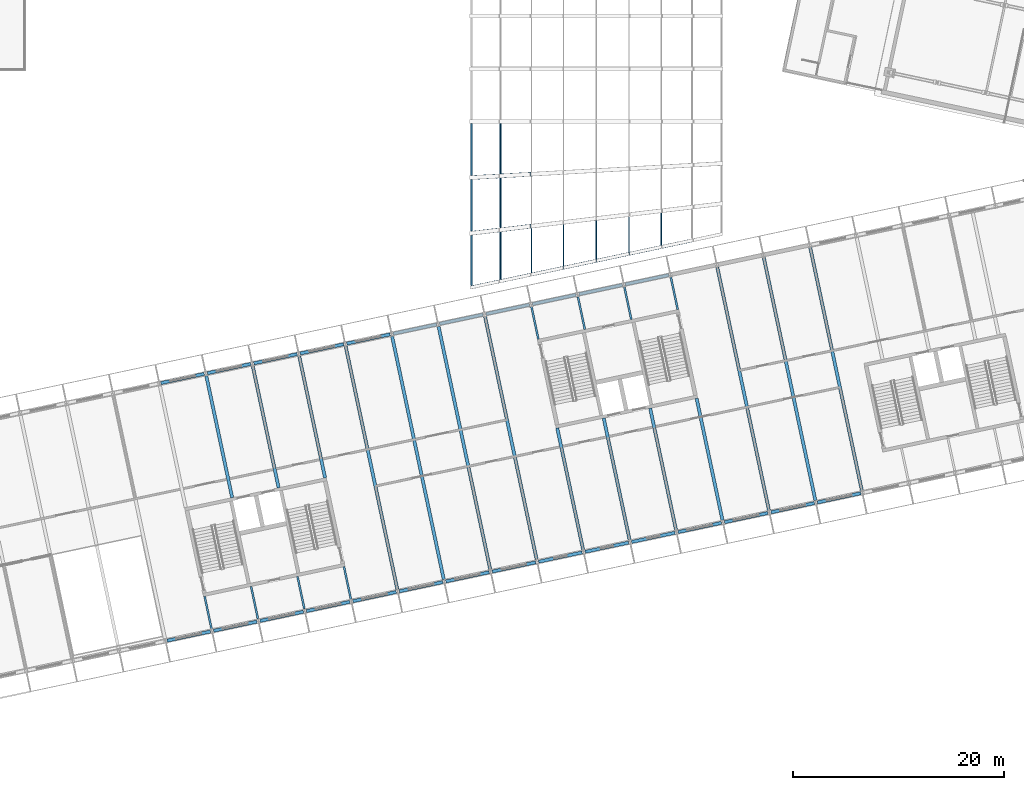
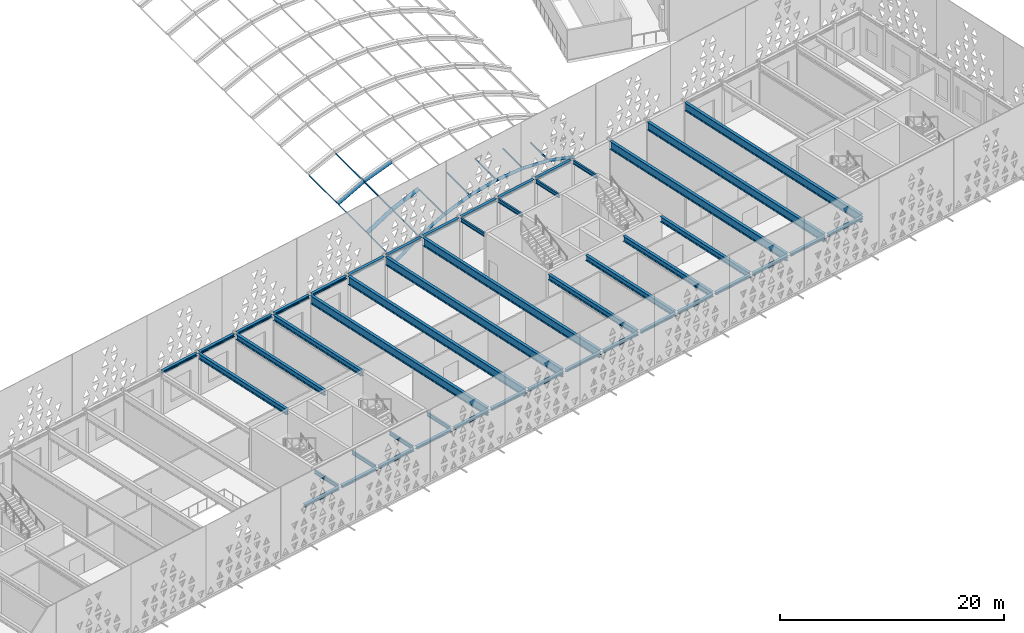
# One storey, part 41 of 196: 48 beams, 22 members.
"""IFC4 building model written with IfcOpenShell, lengths in metres."""

import ifcopenshell
import ifcopenshell.guid

model = None  # the IFC model being written
_history = None  # IfcOwnerHistory: only IFC2X3 demands one
_inside = {}  # id of a spatial element -> (the spatial element, [elements in it])
_under = {}  # id of a project, library or spatial element -> (it, [spatial elements below it])
_declared = {}  # id of a project -> (the project, [libraries it declares])
_typed = {}  # id of a type object -> (the type object, [elements of that type])
_made_of = {}  # id of a material, layer set ... -> (it, [elements and type objects made of it])


def new_model(schema):
    """Start an empty IFC model of exactly this schema.

    Asked for "IFC4X3", IfcOpenShell would pick the latest addendum, in which some entities
    have other attributes; the version numbers below select the first issue.
    IFC2X3 requires an IfcOwnerHistory on every rooted entity: one is made here for all.
    """
    global model, _history
    if schema == "IFC4X3":
        model = ifcopenshell.file(schema_version=(4, 3, 0, 0))
    else:
        model = ifcopenshell.file(schema=schema)
    _inside.clear()
    _under.clear()
    _declared.clear()
    _typed.clear()
    _made_of.clear()
    _history = None
    if model.schema == "IFC2X3":
        org = make("IfcOrganization", Name="unknown")
        user = make(
            "IfcPersonAndOrganization",
            ThePerson=make("IfcPerson", FamilyName="unknown"),
            TheOrganization=org,
        )
        app = make(
            "IfcApplication",
            ApplicationDeveloper=org,
            Version="unknown",
            ApplicationFullName="unknown",
            ApplicationIdentifier="unknown",
        )
        _history = make(
            "IfcOwnerHistory",
            OwningUser=user,
            OwningApplication=app,
            ChangeAction="ADDED",
            CreationDate=0,
        )
    return model


def make(cls, **values):
    """One entity of the class cls with the attributes given. An attribute that is None is left unset."""
    return model.create_entity(
        cls, **{name: value for name, value in values.items() if value is not None}
    )


def rooted(cls, **values):
    """An entity with a GlobalId (a new one), such as an element, a storey or a relation."""
    return make(cls, GlobalId=ifcopenshell.guid.new(), OwnerHistory=_history, **values)


def si_unit(unit_type, name, prefix=None):
    """IfcSIUnit, for example si_unit("LENGTHUNIT", "METRE", prefix="MILLI")."""
    return make("IfcSIUnit", UnitType=unit_type, Prefix=prefix, Name=name)


def assignment(units):
    """IfcUnitAssignment: the units of a project."""
    return None if units is None else make("IfcUnitAssignment", Units=units)


def point(xyz):
    """IfcCartesianPoint."""
    return None if xyz is None else make("IfcCartesianPoint", Coordinates=xyz)


def direction(xyz):
    """IfcDirection."""
    return None if xyz is None else make("IfcDirection", DirectionRatios=xyz)


def frame(location, z_axis=None, x_axis=None):
    """IfcAxis2Placement3D, a coordinate frame: its origin and axes. An axis left out is left unset."""
    return make(
        "IfcAxis2Placement3D",
        Location=point(location),
        Axis=direction(z_axis),
        RefDirection=direction(x_axis),
    )


def frame_2d(location, x_axis=None):
    """IfcAxis2Placement2D, a coordinate frame in the plane: its origin and x axis."""
    return make(
        "IfcAxis2Placement2D", Location=point(location), RefDirection=direction(x_axis)
    )


def origin():
    """The frame at (0, 0, 0) with its axes left unset."""
    return frame((0.0, 0.0, 0.0))


def origin_2d():
    """The frame at (0, 0) in the plane with its x axis left unset."""
    return frame_2d((0.0, 0.0))


def place(relative_to, where):
    """IfcLocalPlacement: puts the frame where relative to a parent placement (None: the world)."""
    return make(
        "IfcLocalPlacement", PlacementRelTo=relative_to, RelativePlacement=where
    )


def context(
    kind, dimensions, precision=None, world=None, true_north=None, identifier=None
):
    """IfcGeometricRepresentationContext, for example the 3D "Model" context."""
    return make(
        "IfcGeometricRepresentationContext",
        ContextIdentifier=identifier,
        ContextType=kind,
        CoordinateSpaceDimension=dimensions,
        Precision=precision,
        WorldCoordinateSystem=world,
        TrueNorth=true_north,
    )


def subcontext(parent, identifier, kind, view, scale=None):
    """IfcGeometricRepresentationSubContext, for example "Body" below "Model"."""
    return make(
        "IfcGeometricRepresentationSubContext",
        ContextIdentifier=identifier,
        ContextType=kind,
        ParentContext=parent,
        TargetScale=scale,
        TargetView=view,
    )


def project(units=None, contexts=None):
    """IfcProject with its units and contexts."""
    return rooted(
        "IfcProject",
        Name="project",
        RepresentationContexts=contexts,
        UnitsInContext=assignment(units),
    )


def spatial(cls, under=None, at=None, **own):
    """A site, building, storey or space (cls), placed at a placement, below another one or the project."""
    s = rooted(cls, ObjectPlacement=at, **own)
    if under is not None:
        _under.setdefault(under.id(), (under, []))[1].append(s)
    return s


def profile(cls, at=None, kind="AREA", **sizes):
    """A parametric profile (cls). Its sizes go by their IFC names, for example OverallWidth=200.0."""
    return make(cls, ProfileType=kind, Position=at, **sizes)


def hollow_rectangle(**sizes):
    """IfcRectangleHollowProfileDef."""
    return profile("IfcRectangleHollowProfileDef", **sizes)


def hollow_circle(**sizes):
    """IfcCircleHollowProfileDef."""
    return profile("IfcCircleHollowProfileDef", **sizes)


def i_section(**sizes):
    """IfcIShapeProfileDef."""
    return profile("IfcIShapeProfileDef", **sizes)


def extrude(swept, where, along, depth):
    """IfcExtrudedAreaSolid: the profile swept, set in the frame where, extruded along a direction by depth."""
    return make(
        "IfcExtrudedAreaSolid",
        SweptArea=swept,
        Position=where,
        ExtrudedDirection=direction(along),
        Depth=depth,
    )


def shape(context_of_items, identifier, shape_type, items):
    """IfcShapeRepresentation: the items that make up one representation, for example the "Body"."""
    return make(
        "IfcShapeRepresentation",
        ContextOfItems=context_of_items,
        RepresentationIdentifier=identifier,
        RepresentationType=shape_type,
        Items=items,
    )


def material(Name=None, Category=None):
    """IfcMaterial."""
    return make("IfcMaterial", Name=Name, Category=Category)


def material_profile(
    of_material, cross_section, Name=None, Category=None, Priority=None
):
    """IfcMaterialProfile: a cross section and its material."""
    return make(
        "IfcMaterialProfile",
        Name=Name,
        Material=of_material,
        Profile=cross_section,
        Priority=Priority,
        Category=Category,
    )


def profile_set(profiles, Name=None, composite=None):
    """IfcMaterialProfileSet."""
    return make(
        "IfcMaterialProfileSet",
        Name=Name,
        MaterialProfiles=profiles,
        CompositeProfile=composite,
    )


def made_of(thing, what):
    """Note that an element or type object is made of a material, layer set ...; save() writes the relation."""
    if what is not None:
        _made_of.setdefault(what.id(), (what, []))[1].append(thing)
    return thing


def type_object(cls, material=None, **own):
    """A type object (cls), such as IfcWallType, which elements share."""
    return made_of(rooted(cls, **own), material)


def element(
    cls,
    number,
    at=None,
    inside=None,
    cuts=None,
    type_object=None,
    material=None,
    context=None,
    identifier="Body",
    shape_type=None,
    held_by="IfcProductDefinitionShape",
    body=None,
    shapes=None,
    **own,
):
    """One element of the class cls, such as IfcWall. Its Tag is "e" and its number.

    at: its placement. inside: the storey or other place that contains it. cuts: it is an
    opening in that element (IfcRelVoidsElement). A single representation is given by context,
    identifier, shape_type and body (its items); several are given by shapes. held_by: the class
    of the entity that holds the representations. save() writes the other relations.
    """
    e = rooted(cls, Tag="e%d" % number, ObjectPlacement=at, **own)
    if body is not None:
        shapes = [shape(context, identifier, shape_type, body)]
    if shapes is not None:
        e.Representation = make(held_by, Representations=shapes)
    if inside is not None:
        _inside.setdefault(inside.id(), (inside, []))[1].append(e)
    if cuts is not None:
        rooted(
            "IfcRelVoidsElement", RelatingBuildingElement=cuts, RelatedOpeningElement=e
        )
    if type_object is not None:
        _typed.setdefault(type_object.id(), (type_object, []))[1].append(e)
    return made_of(e, material)


def aggregate(whole, parts):
    """IfcRelAggregates: a whole, such as a stair, and the parts it consists of."""
    return rooted("IfcRelAggregates", RelatingObject=whole, RelatedObjects=parts)


def save(model, path):
    """Write the relations noted so far, then the file.

    IfcRelAggregates (storeys below a building ...), IfcRelContainedInSpatialStructure (elements
    in a storey), IfcRelDefinesByType, IfcRelAssociatesMaterial and IfcRelDeclares: one each for
    every whole, place, type object, material and project.
    """
    for whole, parts in _under.values():
        aggregate(whole, parts)
    for where, things in _inside.values():
        rooted(
            "IfcRelContainedInSpatialStructure",
            RelatedElements=things,
            RelatingStructure=where,
        )
    for kind, things in _typed.values():
        rooted("IfcRelDefinesByType", RelatedObjects=things, RelatingType=kind)
    for what, things in _made_of.values():
        rooted("IfcRelAssociatesMaterial", RelatedObjects=things, RelatingMaterial=what)
    for by, libraries in _declared.values():
        rooted("IfcRelDeclares", RelatingContext=by, RelatedDefinitions=libraries)
    model.write(path)


model = new_model("IFC4")

# Units and contexts
model_context = context("Model", 3, precision=1e-05, world=origin(), true_north=direction((0.0, 1.0)))
body_context = subcontext(model_context, "Body", "Model", "MODEL_VIEW")
ifc_project = project(units=[si_unit("LENGTHUNIT", "METRE"), si_unit("AREAUNIT", "SQUARE_METRE"), si_unit("VOLUMEUNIT", "CUBIC_METRE"), si_unit("PLANEANGLEUNIT", "RADIAN"), si_unit("MASSUNIT", "GRAM", prefix="KILO")], contexts=[model_context])

# Site, building, storey
site_placement = place(None, origin())
site = spatial("IfcSite", under=ifc_project, at=site_placement, CompositionType="ELEMENT")
building_placement = place(site_placement, origin())
building = spatial("IfcBuilding", under=site, at=building_placement, Name="Okhra Congress Centre", CompositionType="ELEMENT")
storey_placement = place(building_placement, frame((0.0, 0.0, 12.0)))
storey = spatial("IfcBuildingStorey", under=building, at=storey_placement, Name="L02", CompositionType="ELEMENT", Elevation=12.0)

# Beams
ifc_material = material(Name="Steel S355J2", Category="steel")
ifc_material_profile_1 = material_profile(ifc_material, i_section(OverallWidth=0.300048828125, OverallDepth=0.2900390625, WebThickness=0.008544921875, FlangeThickness=0.013916015625, FilletRadius=0.027099609375, at=origin_2d()), Name="HE 300 A")
ifc_profile_set_1 = profile_set([ifc_material_profile_1], Name="Steel S355J2")
beam_type_1 = type_object("IfcBeamType", Name="Edge beam HE 300 A", PredefinedType="BEAM", material=ifc_profile_set_1)
beam_1_placement = place(storey_placement, frame((131.584228515625, 41.81005859375, 4.5048828125), z_axis=(0.978146440129, 0.207917150959, 0.0), x_axis=(-0.207917150959, 0.978146440129, 0.0)))
element("IfcBeam", 1, at=beam_1_placement, inside=storey, type_object=beam_type_1, Name="Edge beam S17", PredefinedType="BEAM", context=body_context, shape_type="SweptSolid", body=[
    extrude(i_section(OverallWidth=0.300048828125, OverallDepth=0.2900390625, WebThickness=0.008544921875, FlangeThickness=0.013916015625, FilletRadius=0.027099609375, at=origin_2d()), origin(), (0.0, 0.0, 1.0), 4.2001953125),
])
for number, where, z_axis, x_axis, name in (
    (2, (135.986083984375, 42.74560546875, 4.5048828125), (0.978143927149, 0.207928972925, 0.0), (-0.207928972925, 0.978143927149, 0.0), "Edge beam S18"),
    (3, (140.3876953125, 43.68115234375, 4.5048828125), (0.978143927149, 0.207928972925, 0.0), (-0.207928972925, 0.978143927149, 0.0), "Edge beam S19"),
    (4, (144.789306640625, 44.616943359375, 4.5048828125), (0.978155748334, 0.207873355681, 0.0), (-0.207873355681, 0.978155748334, 0.0), "Edge beam S20"),
):
    element("IfcBeam", number, at=place(storey_placement, frame(where, z_axis=z_axis, x_axis=x_axis)), inside=storey, type_object=beam_type_1, Name=name, PredefinedType="BEAM", context=body_context, shape_type="SweptSolid", body=[
        extrude(i_section(OverallWidth=0.300048828125, OverallDepth=0.2900390625, WebThickness=0.008544921875, FlangeThickness=0.013916015625, FilletRadius=0.027099609375, at=origin_2d()), origin(), (0.0, 0.0, 1.0), 4.199951171875),
    ])
beam_2_placement = place(storey_placement, frame((149.19091796875, 45.552490234375, 4.5048828125), z_axis=(0.978146440129, 0.207917150959, 0.0), x_axis=(-0.207917150959, 0.978146440129, 0.0)))
element("IfcBeam", 5, at=beam_2_placement, inside=storey, type_object=beam_type_1, Name="Edge beam S21", PredefinedType="BEAM", context=body_context, shape_type="SweptSolid", body=[
    extrude(i_section(OverallWidth=0.300048828125, OverallDepth=0.2900390625, WebThickness=0.008544921875, FlangeThickness=0.013916015625, FilletRadius=0.027099609375, at=origin_2d()), origin(), (0.0, 0.0, 1.0), 4.2001953125),
])
for number, where, z_axis, x_axis, name in (
    (6, (153.5927734375, 46.488037109375, 4.5048828125), (0.978143927149, 0.207928972925, 0.0), (-0.207928972925, 0.978143927149, 0.0), "Edge beam S22"),
    (7, (157.994384765625, 47.423583984375, 4.5048828125), (0.978143927149, 0.207928972925, 0.0), (-0.207928972925, 0.978143927149, 0.0), "Edge beam S23"),
    (8, (162.39599609375, 48.359375, 4.5048828125), (0.978155748334, 0.207873355681, 0.0), (-0.207873355681, 0.978155748334, 0.0), "Edge beam S24"),
    (9, (166.797607421875, 49.294921875, 4.5048828125), (0.978143927149, 0.207928972925, 0.0), (-0.207928972925, 0.978143927149, 0.0), "Edge beam S25"),
):
    element("IfcBeam", number, at=place(storey_placement, frame(where, z_axis=z_axis, x_axis=x_axis)), inside=storey, type_object=beam_type_1, Name=name, PredefinedType="BEAM", context=body_context, shape_type="SweptSolid", body=[
        extrude(i_section(OverallWidth=0.300048828125, OverallDepth=0.2900390625, WebThickness=0.008544921875, FlangeThickness=0.013916015625, FilletRadius=0.027099609375, at=origin_2d()), origin(), (0.0, 0.0, 1.0), 4.199951171875),
    ])
beam_3_placement = place(storey_placement, frame((171.19921875, 50.23046875, 4.5048828125), z_axis=(0.978146440129, 0.207917150959, 0.0), x_axis=(-0.207917150959, 0.978146440129, 0.0)))
element("IfcBeam", 10, at=beam_3_placement, inside=storey, type_object=beam_type_1, Name="Edge beam S26", PredefinedType="BEAM", context=body_context, shape_type="SweptSolid", body=[
    extrude(i_section(OverallWidth=0.300048828125, OverallDepth=0.2900390625, WebThickness=0.008544921875, FlangeThickness=0.013916015625, FilletRadius=0.027099609375, at=origin_2d()), origin(), (0.0, 0.0, 1.0), 4.2001953125),
])
for number, where, z_axis, x_axis, name in (
    (11, (175.60107421875, 51.166015625, 4.5048828125), (0.978143927149, 0.207928972925, 0.0), (-0.207928972925, 0.978143927149, 0.0), "Edge beam S27"),
    (12, (180.002685546875, 52.101806640625, 4.5048828125), (0.978155748334, 0.207873355681, 0.0), (-0.207873355681, 0.978155748334, 0.0), "Edge beam S28"),
    (13, (184.404296875, 53.037353515625, 4.5048828125), (0.978143927149, 0.207928972925, 0.0), (-0.207928972925, 0.978143927149, 0.0), "Edge beam S29"),
):
    element("IfcBeam", number, at=place(storey_placement, frame(where, z_axis=z_axis, x_axis=x_axis)), inside=storey, type_object=beam_type_1, Name=name, PredefinedType="BEAM", context=body_context, shape_type="SweptSolid", body=[
        extrude(i_section(OverallWidth=0.300048828125, OverallDepth=0.2900390625, WebThickness=0.008544921875, FlangeThickness=0.013916015625, FilletRadius=0.027099609375, at=origin_2d()), origin(), (0.0, 0.0, 1.0), 4.199951171875),
    ])
for number, where, z_axis, x_axis, name in (
    (14, (188.805908203125, 53.972900390625, 4.5048828125), (0.978146440129, 0.207917150959, 0.0), (-0.207917150959, 0.978146440129, 0.0), "Edge beam S30"),
    (15, (193.20751953125, 54.908447265625, 4.5048828125), (0.978146440129, 0.207917150959, 0.0), (-0.207917150959, 0.978146440129, 0.0), "Edge beam S31"),
):
    element("IfcBeam", number, at=place(storey_placement, frame(where, z_axis=z_axis, x_axis=x_axis)), inside=storey, type_object=beam_type_1, Name=name, PredefinedType="BEAM", context=body_context, shape_type="SweptSolid", body=[
        extrude(i_section(OverallWidth=0.300048828125, OverallDepth=0.2900390625, WebThickness=0.008544921875, FlangeThickness=0.013916015625, FilletRadius=0.027099609375, at=origin_2d()), origin(), (0.0, 0.0, 1.0), 4.2001953125),
    ])
beam_4_placement = place(storey_placement, frame((130.99609375, 66.22119140625, 4.5048828125), z_axis=(0.978143927149, 0.207928972925, 0.0), x_axis=(-0.207928972925, 0.978143927149, 0.0)))
element("IfcBeam", 16, at=beam_4_placement, inside=storey, type_object=beam_type_1, Name="Edge beam N18", PredefinedType="BEAM", context=body_context, shape_type="SweptSolid", body=[
    extrude(i_section(OverallWidth=0.300048828125, OverallDepth=0.2900390625, WebThickness=0.008544921875, FlangeThickness=0.013916015625, FilletRadius=0.027099609375, at=origin_2d()), origin(), (0.0, 0.0, 1.0), 4.199951171875),
])
beam_5_placement = place(storey_placement, frame((135.397705078125, 67.15673828125, 4.5048828125), z_axis=(0.978146440129, 0.207917150959, 0.0), x_axis=(-0.207917150959, 0.978146440129, 0.0)))
element("IfcBeam", 17, at=beam_5_placement, inside=storey, type_object=beam_type_1, Name="Edge beam N19", PredefinedType="BEAM", context=body_context, shape_type="SweptSolid", body=[
    extrude(i_section(OverallWidth=0.300048828125, OverallDepth=0.2900390625, WebThickness=0.008544921875, FlangeThickness=0.013916015625, FilletRadius=0.027099609375, at=origin_2d()), origin(), (0.0, 0.0, 1.0), 4.2001953125),
])
for number, where, z_axis, x_axis, name in (
    (18, (139.799560546875, 68.092529296875, 4.5048828125), (0.978155748334, 0.207873355681, 0.0), (-0.207873355681, 0.978155748334, 0.0), "Edge beam N20"),
    (19, (144.201171875, 69.028076171875, 4.5048828125), (0.978143927149, 0.207928972925, 0.0), (-0.207928972925, 0.978143927149, 0.0), "Edge beam N21"),
    (20, (148.602783203125, 69.963623046875, 4.5048828125), (0.978143927149, 0.207928972925, 0.0), (-0.207928972925, 0.978143927149, 0.0), "Edge beam N22"),
    (21, (153.00439453125, 70.899169921875, 4.5048828125), (0.978143927149, 0.207928972925, 0.0), (-0.207928972925, 0.978143927149, 0.0), "Edge beam N23"),
):
    element("IfcBeam", number, at=place(storey_placement, frame(where, z_axis=z_axis, x_axis=x_axis)), inside=storey, type_object=beam_type_1, Name=name, PredefinedType="BEAM", context=body_context, shape_type="SweptSolid", body=[
        extrude(i_section(OverallWidth=0.300048828125, OverallDepth=0.2900390625, WebThickness=0.008544921875, FlangeThickness=0.013916015625, FilletRadius=0.027099609375, at=origin_2d()), origin(), (0.0, 0.0, 1.0), 4.199951171875),
    ])
beam_6_placement = place(storey_placement, frame((157.406005859375, 71.834716796875, 4.5048828125), z_axis=(0.978146440129, 0.207917150959, 0.0), x_axis=(-0.207917150959, 0.978146440129, 0.0)))
element("IfcBeam", 22, at=beam_6_placement, inside=storey, type_object=beam_type_1, Name="Edge beam N24", PredefinedType="BEAM", context=body_context, shape_type="SweptSolid", body=[
    extrude(i_section(OverallWidth=0.300048828125, OverallDepth=0.2900390625, WebThickness=0.008544921875, FlangeThickness=0.013916015625, FilletRadius=0.027099609375, at=origin_2d()), origin(), (0.0, 0.0, 1.0), 4.2001953125),
])
for number, where, z_axis, x_axis, name in (
    (23, (161.807861328125, 72.7705078125, 4.5048828125), (0.978155748334, 0.207873355681, 0.0), (-0.207873355681, 0.978155748334, 0.0), "Edge beam N25"),
    (24, (166.20947265625, 73.7060546875, 4.5048828125), (0.978143927149, 0.207928972925, 0.0), (-0.207928972925, 0.978143927149, 0.0), "Edge beam N26"),
    (25, (170.611083984375, 74.6416015625, 4.5048828125), (0.978143927149, 0.207928972925, 0.0), (-0.207928972925, 0.978143927149, 0.0), "Edge beam N27"),
):
    element("IfcBeam", number, at=place(storey_placement, frame(where, z_axis=z_axis, x_axis=x_axis)), inside=storey, type_object=beam_type_1, Name=name, PredefinedType="BEAM", context=body_context, shape_type="SweptSolid", body=[
        extrude(i_section(OverallWidth=0.300048828125, OverallDepth=0.2900390625, WebThickness=0.008544921875, FlangeThickness=0.013916015625, FilletRadius=0.027099609375, at=origin_2d()), origin(), (0.0, 0.0, 1.0), 4.199951171875),
    ])
beam_7_placement = place(storey_placement, frame((175.0126953125, 75.5771484375, 4.5048828125), z_axis=(0.978146440129, 0.207917150959, 0.0), x_axis=(-0.207917150959, 0.978146440129, 0.0)))
element("IfcBeam", 26, at=beam_7_placement, inside=storey, type_object=beam_type_1, Name="Edge beam N28", PredefinedType="BEAM", context=body_context, shape_type="SweptSolid", body=[
    extrude(i_section(OverallWidth=0.300048828125, OverallDepth=0.2900390625, WebThickness=0.008544921875, FlangeThickness=0.013916015625, FilletRadius=0.027099609375, at=origin_2d()), origin(), (0.0, 0.0, 1.0), 4.2001953125),
])
ifc_material_profile_2 = material_profile(ifc_material, i_section(OverallWidth=0.300048828125, OverallDepth=0.590087890625, WebThickness=0.012939453125, FlangeThickness=0.02490234375, FilletRadius=0.027099609375, at=origin_2d()), Name="HE 600 A")
ifc_profile_set_2 = profile_set([ifc_material_profile_2], Name="Steel S355J2")
beam_type_2 = type_object("IfcBeamType", Name="Floor beam HE 600 A", PredefinedType="BEAM", material=ifc_profile_set_2)
beam_8_placement = place(storey_placement, frame((137.751220703125, 55.36328125, 4.35498046875), z_axis=(-0.207905998145, 0.978148810731, 0.0), x_axis=(-0.978148810731, -0.207905998145, 0.0)))
element("IfcBeam", 27, at=beam_8_placement, inside=storey, type_object=beam_type_2, Name="Floor beam 18.2", PredefinedType="BEAM", context=body_context, shape_type="SweptSolid", body=[
    extrude(i_section(OverallWidth=0.300048828125, OverallDepth=0.590087890625, WebThickness=0.012939453125, FlangeThickness=0.02490234375, FilletRadius=0.027099609375, at=origin_2d()), origin(), (0.0, 0.0, 1.0), 11.80517578125),
])
beam_9_placement = place(storey_placement, frame((142.15283203125, 56.299072265625, 4.35498046875), z_axis=(-0.207910203977, 0.97814791677, 0.0), x_axis=(-0.97814791677, -0.207910203977, 0.0)))
element("IfcBeam", 28, at=beam_9_placement, inside=storey, type_object=beam_type_2, Name="Floor beam 19.2", PredefinedType="BEAM", context=body_context, shape_type="SweptSolid", body=[
    extrude(i_section(OverallWidth=0.300048828125, OverallDepth=0.590087890625, WebThickness=0.012939453125, FlangeThickness=0.02490234375, FilletRadius=0.027099609375, at=origin_2d()), origin(), (0.0, 0.0, 1.0), 11.804931640625),
])
beam_10_placement = place(storey_placement, frame((146.554443359375, 57.234619140625, 4.35498046875), z_axis=(-0.207905998145, 0.978148810731, 0.0), x_axis=(-0.978148810731, -0.207905998145, 0.0)))
element("IfcBeam", 29, at=beam_10_placement, inside=storey, type_object=beam_type_2, Name="Floor beam 20.2", PredefinedType="BEAM", context=body_context, shape_type="SweptSolid", body=[
    extrude(i_section(OverallWidth=0.300048828125, OverallDepth=0.590087890625, WebThickness=0.012939453125, FlangeThickness=0.02490234375, FilletRadius=0.027099609375, at=origin_2d()), origin(), (0.0, 0.0, 1.0), 11.80517578125),
])
beam_11_placement = place(storey_placement, frame((171.0068359375, 50.41455078125, 4.35498046875), z_axis=(-0.207910203977, 0.97814791677, 0.0), x_axis=(-0.97814791677, -0.207910203977, 0.0)))
element("IfcBeam", 30, at=beam_11_placement, inside=storey, type_object=beam_type_2, Name="Floor beam 25.1", PredefinedType="BEAM", context=body_context, shape_type="SweptSolid", body=[
    extrude(i_section(OverallWidth=0.300048828125, OverallDepth=0.590087890625, WebThickness=0.012939453125, FlangeThickness=0.02490234375, FilletRadius=0.027099609375, at=origin_2d()), origin(), (0.0, 0.0, 1.0), 11.804931640625),
])
for number, where, z_axis, x_axis, name in (
    (31, (175.408447265625, 51.35009765625, 4.35498046875), (-0.207905998145, 0.978148810731, 0.0), (-0.978148810731, -0.207905998145, 0.0), "Floor beam 26.1"),
    (32, (179.810302734375, 52.28564453125, 4.35498046875), (-0.207925785074, 0.978144604801, 0.0), (-0.978144604801, -0.207925785074, 0.0), "Floor beam 27.1"),
    (33, (184.2119140625, 53.22119140625, 4.35498046875), (-0.207905998145, 0.978148810731, 0.0), (-0.978148810731, -0.207905998145, 0.0), "Floor beam 28.1"),
):
    element("IfcBeam", number, at=place(storey_placement, frame(where, z_axis=z_axis, x_axis=x_axis)), inside=storey, type_object=beam_type_2, Name=name, PredefinedType="BEAM", context=body_context, shape_type="SweptSolid", body=[
        extrude(i_section(OverallWidth=0.300048828125, OverallDepth=0.590087890625, WebThickness=0.012939453125, FlangeThickness=0.02490234375, FilletRadius=0.027099609375, at=origin_2d()), origin(), (0.0, 0.0, 1.0), 11.80517578125),
    ])
ifc_material_profile_3 = material_profile(ifc_material, i_section(OverallWidth=0.300048828125, OverallDepth=0.889892578125, WebThickness=0.01611328125, FlangeThickness=0.030029296875, FilletRadius=0.030029296875, at=origin_2d()), Name="HE 900 A")
ifc_profile_set_3 = profile_set([ifc_material_profile_3], Name="Steel S355J2")
beam_type_3 = type_object("IfcBeamType", Name="Floor beam HE 900 A", PredefinedType="BEAM", material=ifc_profile_set_3)
for number, where, z_axis, x_axis, name in (
    (34, (153.400146484375, 46.672119140625, 4.205078125), (-0.207913162874, 0.978147287837, 0.0), (-0.978147287837, -0.207913162874, 0.0), "Floor beam 21.1"),
    (35, (157.8017578125, 47.607666015625, 4.205078125), (-0.207903248293, 0.97814939521, 0.0), (-0.97814939521, -0.207903248293, 0.0), "Floor beam 22.1"),
    (36, (162.20361328125, 48.543212890625, 4.205078125), (-0.207913162874, 0.978147287837, 0.0), (-0.978147287837, -0.207913162874, 0.0), "Floor beam 23.1"),
    (37, (166.605224609375, 49.47900390625, 4.205078125), (-0.207913162874, 0.978147287837, 0.0), (-0.978147287837, -0.207913162874, 0.0), "Floor beam 24.1"),
    (38, (188.613525390625, 54.156982421875, 4.205078125), (-0.207913162874, 0.978147287837, 0.0), (-0.978147287837, -0.207913162874, 0.0), "Floor beam 29.1"),
    (39, (193.01513671875, 55.092529296875, 4.205078125), (-0.207913162874, 0.978147287837, 0.0), (-0.978147287837, -0.207913162874, 0.0), "Floor beam 30.1"),
    (40, (197.416748046875, 56.028076171875, 4.205078125), (-0.207903248293, 0.97814939521, 0.0), (-0.97814939521, -0.207903248293, 0.0), "Floor beam 31.1"),
):
    element("IfcBeam", number, at=place(storey_placement, frame(where, z_axis=z_axis, x_axis=x_axis)), inside=storey, type_object=beam_type_3, Name=name, PredefinedType="BEAM", context=body_context, shape_type="SweptSolid", body=[
        extrude(i_section(OverallWidth=0.300048828125, OverallDepth=0.889892578125, WebThickness=0.01611328125, FlangeThickness=0.030029296875, FilletRadius=0.030029296875, at=origin_2d()), origin(), (0.0, 0.0, 1.0), 23.56005859375),
    ])
ifc_material_profile_4 = material_profile(ifc_material, i_section(OverallWidth=0.179931640625, OverallDepth=0.39990234375, WebThickness=0.008544921875, FlangeThickness=0.013427734375, FilletRadius=0.02099609375, at=origin_2d()), Name="IPE 400")
ifc_profile_set_4 = profile_set([ifc_material_profile_4], Name="Steel S355J2")
beam_type_4 = type_object("IfcBeamType", Name="Floor beam stub IPE 400", PredefinedType="BEAM", material=ifc_profile_set_4)
beam_12_placement = place(storey_placement, frame((135.79345703125, 42.9296875, 4.449951171875), z_axis=(-0.20785875582, 0.978158850918, 0.0), x_axis=(-0.978158850918, -0.20785875582, 0.0)))
element("IfcBeam", 41, at=beam_12_placement, inside=storey, type_object=beam_type_4, Name="Floor beam 17.1", PredefinedType="BEAM", context=body_context, shape_type="SweptSolid", body=[
    extrude(i_section(OverallWidth=0.179931640625, OverallDepth=0.39990234375, WebThickness=0.008544921875, FlangeThickness=0.013427734375, FilletRadius=0.02099609375, at=origin_2d()), origin(), (0.0, 0.0, 1.0), 3.15478515625),
])
for number, where, z_axis, x_axis, name in (
    (42, (140.1953125, 43.865234375, 4.449951171875), (-0.207917058571, 0.978146459767, 0.0), (-0.978146459767, -0.207917058571, 0.0), "Floor beam 18.1"),
    (43, (144.596923828125, 44.80078125, 4.449951171875), (-0.207917058571, 0.978146459767, 0.0), (-0.978146459767, -0.207917058571, 0.0), "Floor beam 19.1"),
):
    element("IfcBeam", number, at=place(storey_placement, frame(where, z_axis=z_axis, x_axis=x_axis)), inside=storey, type_object=beam_type_4, Name=name, PredefinedType="BEAM", context=body_context, shape_type="SweptSolid", body=[
        extrude(i_section(OverallWidth=0.179931640625, OverallDepth=0.39990234375, WebThickness=0.008544921875, FlangeThickness=0.013427734375, FilletRadius=0.02099609375, at=origin_2d()), origin(), (0.0, 0.0, 1.0), 3.155029296875),
    ])
beam_13_placement = place(storey_placement, frame((148.99853515625, 45.736572265625, 4.449951171875), z_axis=(-0.207932796537, 0.978143114337, 0.0), x_axis=(-0.978143114337, -0.207932796537, 0.0)))
element("IfcBeam", 44, at=beam_13_placement, inside=storey, type_object=beam_type_4, Name="Floor beam 20.1", PredefinedType="BEAM", context=body_context, shape_type="SweptSolid", body=[
    extrude(i_section(OverallWidth=0.179931640625, OverallDepth=0.39990234375, WebThickness=0.008544921875, FlangeThickness=0.013427734375, FilletRadius=0.02099609375, at=origin_2d()), origin(), (0.0, 0.0, 1.0), 3.15478515625),
])
for number, where, z_axis, x_axis, name in (
    (45, (166.764404296875, 70.37353515625, 4.449951171875), (-0.207917058571, 0.978146459767, 0.0), (-0.978146459767, -0.207917058571, 0.0), "Floor beam 25.2"),
    (46, (171.166015625, 71.30908203125, 4.449951171875), (-0.207917058571, 0.978146459767, 0.0), (-0.978146459767, -0.207917058571, 0.0), "Floor beam 26.2"),
):
    element("IfcBeam", number, at=place(storey_placement, frame(where, z_axis=z_axis, x_axis=x_axis)), inside=storey, type_object=beam_type_4, Name=name, PredefinedType="BEAM", context=body_context, shape_type="SweptSolid", body=[
        extrude(i_section(OverallWidth=0.179931640625, OverallDepth=0.39990234375, WebThickness=0.008544921875, FlangeThickness=0.013427734375, FilletRadius=0.02099609375, at=origin_2d()), origin(), (0.0, 0.0, 1.0), 3.155029296875),
    ])
for number, where, z_axis, x_axis, name in (
    (47, (175.567626953125, 72.244873046875, 4.449951171875), (-0.20785875582, 0.978158850918, 0.0), (-0.978158850918, -0.20785875582, 0.0), "Floor beam 27.2"),
    (48, (179.969482421875, 73.180419921875, 4.449951171875), (-0.207932796537, 0.978143114337, 0.0), (-0.978143114337, -0.207932796537, 0.0), "Floor beam 28.2"),
):
    element("IfcBeam", number, at=place(storey_placement, frame(where, z_axis=z_axis, x_axis=x_axis)), inside=storey, type_object=beam_type_4, Name=name, PredefinedType="BEAM", context=body_context, shape_type="SweptSolid", body=[
        extrude(i_section(OverallWidth=0.179931640625, OverallDepth=0.39990234375, WebThickness=0.008544921875, FlangeThickness=0.013427734375, FilletRadius=0.02099609375, at=origin_2d()), origin(), (0.0, 0.0, 1.0), 3.15478515625),
    ])

# Members
ifc_material_profile_5 = material_profile(ifc_material, hollow_rectangle(XDim=0.10009765625, YDim=0.14990234375, WallThickness=0.00634765625, at=origin_2d()), Name="RHS 150x100x6.3")
ifc_profile_set_5 = profile_set([ifc_material_profile_5], Name="Steel S355J2")
member_type_1 = type_object("IfcMemberType", Name="Steel purlin RHS 150x100x6.3", PredefinedType="PURLIN", material=ifc_profile_set_5)
member_1_placement = place(storey_placement, frame((166.109619140625, 76.668212890625, 3.18505859375), z_axis=(0.0, 1.0, 0.0), x_axis=(-0.965379940391, 0.0, -0.260847792191)))
element("IfcMember", 49, at=member_1_placement, inside=storey, type_object=member_type_1, Name="Vault purlin 1.4", PredefinedType="PURLIN", context=body_context, shape_type="SweptSolid", body=[
    extrude(hollow_rectangle(XDim=0.10009765625, YDim=0.14990234375, WallThickness=0.00634765625, at=origin_2d()), origin(), (0.0, 0.0, 1.0), 4.21533203125),
])
member_2_placement = place(storey_placement, frame((169.15283203125, 77.315185546875, 3.79541015625), z_axis=(0.0, 1.0, 0.0), x_axis=(-0.991307202734, 0.0, -0.131567586459)))
element("IfcMember", 50, at=member_2_placement, inside=storey, type_object=member_type_1, Name="Vault purlin 1.5", PredefinedType="PURLIN", context=body_context, shape_type="SweptSolid", body=[
    extrude(hollow_rectangle(XDim=0.10009765625, YDim=0.14990234375, WallThickness=0.00634765625, at=origin_2d()), origin(), (0.0, 0.0, 1.0), 3.928955078125),
])
member_3_placement = place(storey_placement, frame((172.25, 77.9736328125, 4.0), z_axis=(0.0, 1.0, 0.0), x_axis=(-1.0, 0.0, 0.0)))
element("IfcMember", 51, at=member_3_placement, inside=storey, type_object=member_type_1, Name="Vault purlin 1.6", PredefinedType="PURLIN", context=body_context, shape_type="SweptSolid", body=[
    extrude(hollow_rectangle(XDim=0.10009765625, YDim=0.14990234375, WallThickness=0.00634765625, at=origin_2d()), origin(), (0.0, 0.0, 1.0), 3.637451171875),
])
member_4_placement = place(storey_placement, frame((175.34716796875, 78.632080078125, 3.79541015625), z_axis=(0.0, 1.0, 0.0), x_axis=(-0.991307202734, 0.0, 0.131567586459)))
element("IfcMember", 52, at=member_4_placement, inside=storey, type_object=member_type_1, Name="Vault purlin 1.7", PredefinedType="PURLIN", context=body_context, shape_type="SweptSolid", body=[
    extrude(hollow_rectangle(XDim=0.10009765625, YDim=0.14990234375, WallThickness=0.00634765625, at=origin_2d()), origin(), (0.0, 0.0, 1.0), 3.345947265625),
])
member_5_placement = place(storey_placement, frame((178.390380859375, 79.279052734375, 3.18505859375), z_axis=(0.0, 1.0, 0.0), x_axis=(-0.965379940391, 0.0, 0.260847792191)))
element("IfcMember", 53, at=member_5_placement, inside=storey, type_object=member_type_1, Name="Vault purlin 1.8", PredefinedType="PURLIN", context=body_context, shape_type="SweptSolid", body=[
    extrude(hollow_rectangle(XDim=0.10009765625, YDim=0.14990234375, WallThickness=0.00634765625, at=origin_2d()), origin(), (0.0, 0.0, 1.0), 3.059326171875),
])
ifc_material_profile_6 = material_profile(ifc_material, hollow_rectangle(XDim=0.10009765625, YDim=0.199951171875, WallThickness=0.008056640625, at=origin_2d()), Name="RHS 200x100x8")
ifc_profile_set_6 = profile_set([ifc_material_profile_6], Name="Steel S355J2")
member_type_2 = type_object("IfcMemberType", Name="Steel purlin RHS 200x100x8", PredefinedType="PURLIN", material=ifc_profile_set_6)
member_6_placement = place(storey_placement, frame((160.406982421875, 75.455810546875, 0.77490234375), z_axis=(0.0, 1.0, 0.0), x_axis=(-0.86391685861, 0.0, -0.503634452167)))
element("IfcMember", 54, at=member_6_placement, inside=storey, type_object=member_type_2, Name="Vault purlin 1.2", PredefinedType="PURLIN", context=body_context, shape_type="SweptSolid", body=[
    extrude(hollow_rectangle(XDim=0.10009765625, YDim=0.199951171875, WallThickness=0.008056640625, at=origin_2d()), origin(), (0.0, 0.0, 1.0), 4.752197265625),
])
member_7_placement = place(storey_placement, frame((163.1826171875, 76.0458984375, 2.156494140625), z_axis=(0.0, 1.0, 0.0), x_axis=(-0.922668973833, 0.0, -0.38559300399)))
element("IfcMember", 55, at=member_7_placement, inside=storey, type_object=member_type_2, Name="Vault purlin 1.3", PredefinedType="PURLIN", context=body_context, shape_type="SweptSolid", body=[
    extrude(hollow_rectangle(XDim=0.10009765625, YDim=0.199951171875, WallThickness=0.008056640625, at=origin_2d()), origin(), (0.0, 0.0, 1.0), 4.490966796875),
])
member_8_placement = place(storey_placement, frame((160.406982421875, 80.617431640625, 0.77490234375), z_axis=(0.0, 1.0, 0.0), x_axis=(-0.86391685861, 0.0, -0.503634452167)))
element("IfcMember", 56, at=member_8_placement, inside=storey, type_object=member_type_2, Name="Vault purlin 2.2", PredefinedType="PURLIN", context=body_context, shape_type="SweptSolid", body=[
    extrude(hollow_rectangle(XDim=0.10009765625, YDim=0.199951171875, WallThickness=0.008056640625, at=origin_2d()), origin(), (0.0, 0.0, 1.0), 4.870849609375),
])
member_9_placement = place(storey_placement, frame((163.1826171875, 80.946044921875, 2.156494140625), z_axis=(0.0, 1.0, 0.0), x_axis=(-0.922668973833, 0.0, -0.38559300399)))
element("IfcMember", 57, at=member_9_placement, inside=storey, type_object=member_type_2, Name="Vault purlin 2.3", PredefinedType="PURLIN", context=body_context, shape_type="SweptSolid", body=[
    extrude(hollow_rectangle(XDim=0.10009765625, YDim=0.199951171875, WallThickness=0.008056640625, at=origin_2d()), origin(), (0.0, 0.0, 1.0), 4.6982421875),
])
member_10_placement = place(storey_placement, frame((160.406982421875, 85.895263671875, 0.77490234375), z_axis=(0.0, 1.0, 0.0), x_axis=(-0.86391685861, 0.0, -0.503634452167)))
element("IfcMember", 58, at=member_10_placement, inside=storey, type_object=member_type_2, Name="Vault purlin 3.2", PredefinedType="PURLIN", context=body_context, shape_type="SweptSolid", body=[
    extrude(hollow_rectangle(XDim=0.10009765625, YDim=0.199951171875, WallThickness=0.008056640625, at=origin_2d()), origin(), (0.0, 0.0, 1.0), 4.901611328125),
])
member_11_placement = place(storey_placement, frame((163.1826171875, 86.05126953125, 2.156494140625), z_axis=(0.0, 1.0, 0.0), x_axis=(-0.922668973833, 0.0, -0.38559300399)))
element("IfcMember", 59, at=member_11_placement, inside=storey, type_object=member_type_2, Name="Vault purlin 3.3", PredefinedType="PURLIN", context=body_context, shape_type="SweptSolid", body=[
    extrude(hollow_rectangle(XDim=0.10009765625, YDim=0.199951171875, WallThickness=0.008056640625, at=origin_2d()), origin(), (0.0, 0.0, 1.0), 4.74560546875),
])
ifc_material_profile_7 = material_profile(ifc_material, hollow_circle(Radius=0.203125, WallThickness=0.01611328125, at=origin_2d()), Name="CHS 406.4x16")
ifc_profile_set_7 = profile_set([ifc_material_profile_7], Name="Steel S355J2")
member_type_3 = type_object("IfcMemberType", Name="Tubular steel arch rib CHS 406x16", PredefinedType="USERDEFINED", material=ifc_profile_set_7)
member_12_placement = place(storey_placement, frame((160.406494140625, 80.41259765625, 0.802490234375), z_axis=(0.890239887001, 0.105490625624, 0.443107968217), x_axis=(-0.117673576594, 0.993052329624, 0.0)))
element("IfcMember", 60, at=member_12_placement, inside=storey, type_object=member_type_3, Name="Arch rib 2.3", ObjectType="Arch rib", PredefinedType="USERDEFINED", context=body_context, shape_type="SweptSolid", body=[
    extrude(hollow_circle(Radius=0.203125, WallThickness=0.01611328125, at=origin_2d()), origin(), (0.0, 0.0, 1.0), 3.09423828125),
])
member_13_placement = place(storey_placement, frame((163.185791015625, 80.741943359375, 2.18408203125), z_axis=(0.940215282195, 0.111337133383, 0.32186839835), x_axis=(-0.11759502086, 0.993061635081, 0.0)))
element("IfcMember", 61, at=member_13_placement, inside=storey, type_object=member_type_3, Name="Arch rib 2.4", ObjectType="Arch rib", PredefinedType="USERDEFINED", context=body_context, shape_type="SweptSolid", body=[
    extrude(hollow_circle(Radius=0.203125, WallThickness=0.01611328125, at=origin_2d()), origin(), (0.0, 0.0, 1.0), 3.09619140625),
])
member_14_placement = place(storey_placement, frame((160.406494140625, 85.691650390625, 0.802490234375), z_axis=(0.894085029754, 0.050322991836, 0.445061294726), x_axis=(-0.05619540564, 0.99841978966, 0.0)))
element("IfcMember", 62, at=member_14_placement, inside=storey, type_object=member_type_3, Name="Arch rib 3.3", ObjectType="Arch rib", PredefinedType="USERDEFINED", context=body_context, shape_type="SweptSolid", body=[
    extrude(hollow_circle(Radius=0.203125, WallThickness=0.01611328125, at=origin_2d()), origin(), (0.0, 0.0, 1.0), 3.08056640625),
])
member_15_placement = place(storey_placement, frame((163.185791015625, 85.847900390625, 2.18408203125), z_axis=(0.944759457915, 0.053164508241, 0.323424027777), x_axis=(-0.056184175022, 0.998420421705, 0.0)))
element("IfcMember", 63, at=member_15_placement, inside=storey, type_object=member_type_3, Name="Arch rib 3.4", ObjectType="Arch rib", PredefinedType="USERDEFINED", context=body_context, shape_type="SweptSolid", body=[
    extrude(hollow_circle(Radius=0.203125, WallThickness=0.01611328125, at=origin_2d()), origin(), (0.0, 0.0, 1.0), 3.081298828125),
])
ifc_material_profile_8 = material_profile(ifc_material, hollow_circle(Radius=0.161865234375, WallThickness=0.012451171875, at=origin_2d()), Name="CHS 323.9x12.5")
ifc_profile_set_8 = profile_set([ifc_material_profile_8], Name="Steel S355J2")
member_type_4 = type_object("IfcMemberType", Name="Tubular steel gable arch CHS 324x12.5", PredefinedType="USERDEFINED", material=ifc_profile_set_8)
member_16_placement = place(storey_placement, frame((160.40380859375, 75.28955078125, 0.80126953125), z_axis=(0.879451717081, 0.187031309967, 0.437703057351), x_axis=(-0.208016055323, 0.978125411554, 0.0)))
element("IfcMember", 64, at=member_16_placement, inside=storey, type_object=member_type_4, Name="Arch rib 1.3", ObjectType="Arch rib", PredefinedType="USERDEFINED", context=body_context, shape_type="SweptSolid", body=[
    extrude(hollow_circle(Radius=0.161865234375, WallThickness=0.012451171875, at=origin_2d()), origin(), (0.0, 0.0, 1.0), 3.137939453125),
])
member_17_placement = place(storey_placement, frame((163.18310546875, 75.880615234375, 2.18310546875), z_axis=(0.927520431451, 0.197134971995, 0.317558895416), x_axis=(-0.207895968761, 0.978150942428, 0.0)))
element("IfcMember", 65, at=member_17_placement, inside=storey, type_object=member_type_4, Name="Arch rib 1.4", ObjectType="Arch rib", PredefinedType="USERDEFINED", context=body_context, shape_type="SweptSolid", body=[
    extrude(hollow_circle(Radius=0.161865234375, WallThickness=0.012451171875, at=origin_2d()), origin(), (0.0, 0.0, 1.0), 3.14453125),
])
member_18_placement = place(storey_placement, frame((166.119873046875, 76.5048828125, 3.18701171875), z_axis=(0.959848560307, 0.204048252219, 0.192496888397), x_axis=(-0.207937179903, 0.978142182514, 0.0)))
element("IfcMember", 66, at=member_18_placement, inside=storey, type_object=member_type_4, Name="Arch rib 1.5", ObjectType="Arch rib", PredefinedType="USERDEFINED", context=body_context, shape_type="SweptSolid", body=[
    extrude(hollow_circle(Radius=0.161865234375, WallThickness=0.012451171875, at=origin_2d()), origin(), (0.0, 0.0, 1.0), 3.149169921875),
])
for number, where, z_axis, x_axis, name in (
    (67, (169.163330078125, 77.15185546875, 3.796142578125), (0.97610133284, 0.207537735768, 0.064453675311), (-0.207970168112, 0.978135169174, 0.0), "Arch rib 1.6"),
    (68, (172.260498046875, 77.810302734375, 3.999267578125), (0.97610133284, 0.207537735768, -0.064453675311), (-0.207970168112, 0.978135169174, 0.0), "Arch rib 1.7"),
):
    element("IfcMember", number, at=place(storey_placement, frame(where, z_axis=z_axis, x_axis=x_axis)), inside=storey, type_object=member_type_4, Name=name, ObjectType="Arch rib", PredefinedType="USERDEFINED", context=body_context, shape_type="SweptSolid", body=[
        extrude(hollow_circle(Radius=0.161865234375, WallThickness=0.012451171875, at=origin_2d()), origin(), (0.0, 0.0, 1.0), 3.1513671875),
    ])
member_19_placement = place(storey_placement, frame((175.357421875, 78.46875, 3.793212890625), z_axis=(0.959848560307, 0.204048252219, -0.192496888397), x_axis=(-0.207937179903, 0.978142182514, 0.0)))
element("IfcMember", 69, at=member_19_placement, inside=storey, type_object=member_type_4, Name="Arch rib 1.8", ObjectType="Arch rib", PredefinedType="USERDEFINED", context=body_context, shape_type="SweptSolid", body=[
    extrude(hollow_circle(Radius=0.161865234375, WallThickness=0.012451171875, at=origin_2d()), origin(), (0.0, 0.0, 1.0), 3.149169921875),
])
member_20_placement = place(storey_placement, frame((178.400390625, 79.11572265625, 3.181640625), z_axis=(0.927506232257, 0.197209595675, -0.317554033981), x_axis=(-0.207974308845, 0.978134288766, 0.0)))
element("IfcMember", 70, at=member_20_placement, inside=storey, type_object=member_type_4, Name="Arch rib 1.9", ObjectType="Arch rib", PredefinedType="USERDEFINED", context=body_context, shape_type="SweptSolid", body=[
    extrude(hollow_circle(Radius=0.161865234375, WallThickness=0.012451171875, at=origin_2d()), origin(), (0.0, 0.0, 1.0), 3.14453125),
])

save(model, "model.ifc")
